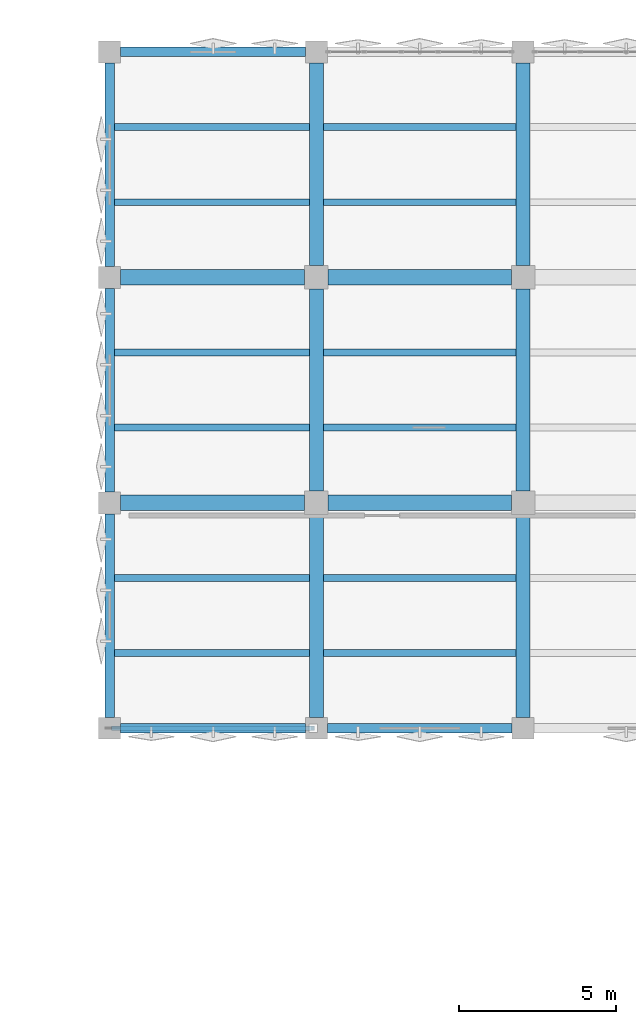
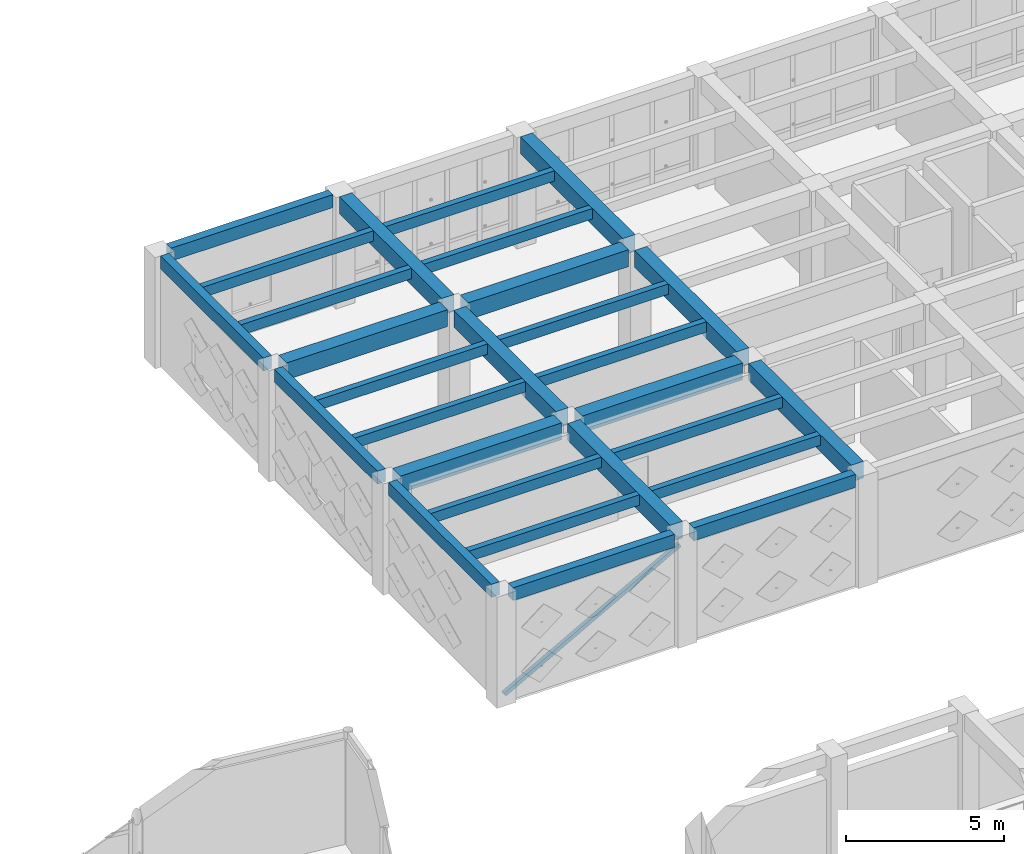
# One storey, part 43 of 80: 28 beams, 1 member.
"""IFC4 building model written with IfcOpenShell, lengths in metres."""

from ifc_helpers import new_model, si_unit, direction, frame, origin, origin_2d, place, context, subcontext, project, spatial, rectangle, hollow_rectangle, extrude, material, material_profile, profile_set, type_object, element, save


model = new_model("IFC4")

# Units and contexts
model_context = context("Model", 3, precision=1e-05, world=origin(), true_north=direction((0.0, 1.0)))
body_context = subcontext(model_context, "Body", "Model", "MODEL_VIEW")
ifc_project = project(units=[si_unit("LENGTHUNIT", "METRE"), si_unit("AREAUNIT", "SQUARE_METRE"), si_unit("VOLUMEUNIT", "CUBIC_METRE"), si_unit("PLANEANGLEUNIT", "RADIAN"), si_unit("MASSUNIT", "GRAM", prefix="KILO")], contexts=[model_context])

# Site, building, storey
site_placement = place(None, origin())
site = spatial("IfcSite", under=ifc_project, at=site_placement, CompositionType="ELEMENT")
building_placement = place(site_placement, origin())
building = spatial("IfcBuilding", under=site, at=building_placement, Name="Kharisveld Research Institute", CompositionType="ELEMENT")
storey_placement = place(building_placement, frame((0.0, 0.0, 5.10009765625)))
storey = spatial("IfcBuildingStorey", under=building, at=storey_placement, Name="L01", CompositionType="ELEMENT", Elevation=5.10009765625)

# Beams
ifc_material_1 = material(Name="Concrete C40/50", Category="concrete")
ifc_material_profile_1 = material_profile(ifc_material_1, rectangle(XDim=0.449951171875, YDim=0.64990234375, at=origin_2d()))
ifc_profile_set_1 = profile_set([ifc_material_profile_1], Name="Concrete C40/50")
beam_type_1 = type_object("IfcBeamType", Name="BM_RC_450x650", PredefinedType="BEAM", material=ifc_profile_set_1)
beam_1_placement = place(storey_placement, frame((121.199951171875, 39.550048828125, 3.96484375), z_axis=(0.0, 1.0, 0.0), x_axis=(-1.0, 0.0, 0.0)))
element("IfcBeam", 1, at=beam_1_placement, inside=storey, type_object=beam_type_1, Name="BM:V2:L01:V1_0", PredefinedType="BEAM", context=body_context, shape_type="SweptSolid", body=[
    extrude(rectangle(XDim=0.449951171875, YDim=0.64990234375, at=origin_2d()), origin(), (0.0, 0.0, 1.0), 6.474853515625),
])
beam_2_placement = place(storey_placement, frame((121.199951171875, 46.77490234375, 3.96484375), z_axis=(0.0, 1.0, 0.0), x_axis=(-1.0, 0.0, 0.0)))
element("IfcBeam", 2, at=beam_2_placement, inside=storey, type_object=beam_type_1, Name="BM:V2:L01:V1_1", PredefinedType="BEAM", context=body_context, shape_type="SweptSolid", body=[
    extrude(rectangle(XDim=0.449951171875, YDim=0.64990234375, at=origin_2d()), origin(), (0.0, 0.0, 1.0), 6.4501953125),
])
for number, where, z_axis, x_axis, name in (
    (3, (121.199951171875, 53.97509765625, 3.96484375), (0.0, 1.0, 0.0), (-1.0, 0.0, 0.0), "BM:V2:L01:V1_2"),
    (4, (127.800048828125, 39.550048828125, 3.96484375), (0.0, 1.0, 0.0), (-1.0, 0.0, 0.0), "BM:V2:L01:V2_0"),
):
    element("IfcBeam", number, at=place(storey_placement, frame(where, z_axis=z_axis, x_axis=x_axis)), inside=storey, type_object=beam_type_1, Name=name, PredefinedType="BEAM", context=body_context, shape_type="SweptSolid", body=[
        extrude(rectangle(XDim=0.449951171875, YDim=0.64990234375, at=origin_2d()), origin(), (0.0, 0.0, 1.0), 6.474853515625),
    ])
beam_3_placement = place(storey_placement, frame((127.800048828125, 46.77490234375, 3.96484375), z_axis=(0.0, 1.0, 0.0), x_axis=(-1.0, 0.0, 0.0)))
element("IfcBeam", 5, at=beam_3_placement, inside=storey, type_object=beam_type_1, Name="BM:V2:L01:V2_1", PredefinedType="BEAM", context=body_context, shape_type="SweptSolid", body=[
    extrude(rectangle(XDim=0.449951171875, YDim=0.64990234375, at=origin_2d()), origin(), (0.0, 0.0, 1.0), 6.4501953125),
])
beam_4_placement = place(storey_placement, frame((127.800048828125, 53.97509765625, 3.96484375), z_axis=(0.0, 1.0, 0.0), x_axis=(-1.0, 0.0, 0.0)))
element("IfcBeam", 6, at=beam_4_placement, inside=storey, type_object=beam_type_1, Name="BM:V2:L01:V2_2", PredefinedType="BEAM", context=body_context, shape_type="SweptSolid", body=[
    extrude(rectangle(XDim=0.449951171875, YDim=0.64990234375, at=origin_2d()), origin(), (0.0, 0.0, 1.0), 6.474853515625),
])
ifc_material_2 = material(Name="Concrete C40/50", Category="concrete")
ifc_material_profile_2 = material_profile(ifc_material_2, rectangle(XDim=0.5, YDim=0.64990234375, at=origin_2d()))
ifc_profile_set_2 = profile_set([ifc_material_profile_2], Name="Concrete C40/50")
beam_type_2 = type_object("IfcBeamType", Name="BM_RC_500x650", PredefinedType="BEAM", material=ifc_profile_set_2)
beam_5_placement = place(storey_placement, frame((114.949951171875, 46.39990234375, 3.96484375), z_axis=(1.0, 0.0, 0.0), x_axis=(0.0, 1.0, 0.0)))
element("IfcBeam", 7, at=beam_5_placement, inside=storey, type_object=beam_type_2, Name="BM:V2:L01:U0_1", PredefinedType="BEAM", context=body_context, shape_type="SweptSolid", body=[
    extrude(rectangle(XDim=0.5, YDim=0.64990234375, at=origin_2d()), origin(), (0.0, 0.0, 1.0), 5.875),
])
beam_6_placement = place(storey_placement, frame((121.574951171875, 46.39990234375, 3.96484375), z_axis=(1.0, 0.0, 0.0), x_axis=(0.0, 1.0, 0.0)))
element("IfcBeam", 8, at=beam_6_placement, inside=storey, type_object=beam_type_2, Name="BM:V2:L01:U1_1", PredefinedType="BEAM", context=body_context, shape_type="SweptSolid", body=[
    extrude(rectangle(XDim=0.5, YDim=0.64990234375, at=origin_2d()), origin(), (0.0, 0.0, 1.0), 5.85009765625),
])
beam_7_placement = place(storey_placement, frame((114.949951171875, 53.60009765625, 3.96484375), z_axis=(1.0, 0.0, 0.0), x_axis=(0.0, 1.0, 0.0)))
element("IfcBeam", 9, at=beam_7_placement, inside=storey, type_object=beam_type_2, Name="BM:V2:L01:U0_2", PredefinedType="BEAM", context=body_context, shape_type="SweptSolid", body=[
    extrude(rectangle(XDim=0.5, YDim=0.64990234375, at=origin_2d()), origin(), (0.0, 0.0, 1.0), 5.875),
])
beam_8_placement = place(storey_placement, frame((121.574951171875, 53.60009765625, 3.96484375), z_axis=(1.0, 0.0, 0.0), x_axis=(0.0, 1.0, 0.0)))
element("IfcBeam", 10, at=beam_8_placement, inside=storey, type_object=beam_type_2, Name="BM:V2:L01:U1_2", PredefinedType="BEAM", context=body_context, shape_type="SweptSolid", body=[
    extrude(rectangle(XDim=0.5, YDim=0.64990234375, at=origin_2d()), origin(), (0.0, 0.0, 1.0), 5.85009765625),
])

# Member
ifc_material_3 = material(Name="Steel S355J2H", Category="steel")
ifc_material_profile_3 = material_profile(ifc_material_3, hollow_rectangle(XDim=0.14990234375, YDim=0.14990234375, WallThickness=0.008056640625, at=origin_2d()))
ifc_profile_set_3 = profile_set([ifc_material_profile_3], Name="Steel S355J2H")
member_type = type_object("IfcMemberType", Name="BR_SHS150", PredefinedType="BRACE", material=ifc_profile_set_3)
member_placement = place(storey_placement, frame((114.699951171875, 39.199951171875, 0.199951171875), z_axis=(0.875061115432, 0.0, 0.484012442257), x_axis=(0.0, 1.0, 0.0)))
element("IfcMember", 11, at=member_placement, inside=storey, type_object=member_type, Name="MEM:V2:L01:BR_0_0", PredefinedType="BRACE", context=body_context, shape_type="SweptSolid", body=[
    extrude(hollow_rectangle(XDim=0.14990234375, YDim=0.14990234375, WallThickness=0.008056640625, at=origin_2d()), origin(), (0.0, 0.0, 1.0), 7.31396484375),
])

# Beams
ifc_material_4 = material(Name="Concrete C40/50", Category="concrete")
ifc_material_profile_4 = material_profile(ifc_material_4, rectangle(XDim=0.300048828125, YDim=0.5, at=origin_2d()))
ifc_profile_set_4 = profile_set([ifc_material_profile_4], Name="Concrete C40/50")
beam_type_3 = type_object("IfcBeamType", Name="SP_RC_300x500", PredefinedType="SPANDREL", material=ifc_profile_set_4)
beam_9_placement = place(storey_placement, frame((114.949951171875, 39.199951171875, 4.039794921875), z_axis=(1.0, 0.0, 0.0), x_axis=(0.0, 1.0, 0.0)))
element("IfcBeam", 12, at=beam_9_placement, inside=storey, type_object=beam_type_3, Name="BM:V2:L01:U0_0", PredefinedType="SPANDREL", context=body_context, shape_type="SweptSolid", body=[
    extrude(rectangle(XDim=0.300048828125, YDim=0.5, at=origin_2d()), origin(), (0.0, 0.0, 1.0), 5.900146484375),
])
beam_10_placement = place(storey_placement, frame((121.550048828125, 39.199951171875, 4.039794921875), z_axis=(1.0, 0.0, 0.0), x_axis=(0.0, 1.0, 0.0)))
element("IfcBeam", 13, at=beam_10_placement, inside=storey, type_object=beam_type_3, Name="BM:V2:L01:U1_0", PredefinedType="SPANDREL", context=body_context, shape_type="SweptSolid", body=[
    extrude(rectangle(XDim=0.300048828125, YDim=0.5, at=origin_2d()), origin(), (0.0, 0.0, 1.0), 5.89990234375),
])
beam_11_placement = place(storey_placement, frame((114.949951171875, 60.800048828125, 4.039794921875), z_axis=(1.0, 0.0, 0.0), x_axis=(0.0, 1.0, 0.0)))
element("IfcBeam", 14, at=beam_11_placement, inside=storey, type_object=beam_type_3, Name="BM:V2:L01:U0_3", PredefinedType="SPANDREL", context=body_context, shape_type="SweptSolid", body=[
    extrude(rectangle(XDim=0.300048828125, YDim=0.5, at=origin_2d()), origin(), (0.0, 0.0, 1.0), 5.900146484375),
])
for number, where, z_axis, x_axis, name in (
    (15, (114.60009765625, 39.550048828125, 4.039794921875), (0.0, 1.0, 0.0), (-1.0, 0.0, 0.0), "BM:V2:L01:V0_0"),
    (16, (114.60009765625, 46.75, 4.039794921875), (0.0, 1.0, 0.0), (-1.0, 0.0, 0.0), "BM:V2:L01:V0_1"),
    (17, (114.60009765625, 53.949951171875, 4.039794921875), (0.0, 1.0, 0.0), (-1.0, 0.0, 0.0), "BM:V2:L01:V0_2"),
):
    element("IfcBeam", number, at=place(storey_placement, frame(where, z_axis=z_axis, x_axis=x_axis)), inside=storey, type_object=beam_type_3, Name=name, PredefinedType="SPANDREL", context=body_context, shape_type="SweptSolid", body=[
        extrude(rectangle(XDim=0.300048828125, YDim=0.5, at=origin_2d()), origin(), (0.0, 0.0, 1.0), 6.5),
    ])
ifc_material_5 = material(Name="Concrete C40/50", Category="concrete")
ifc_material_profile_5 = material_profile(ifc_material_5, rectangle(XDim=0.219970703125, YDim=0.39990234375, at=origin_2d()))
ifc_profile_set_5 = profile_set([ifc_material_profile_5], Name="Concrete C40/50")
beam_type_4 = type_object("IfcBeamType", Name="WB_RC_220x400", PredefinedType="JOIST", material=ifc_profile_set_5)
for number, where, z_axis, x_axis, name in (
    (18, (114.75, 41.60009765625, 4.08984375), (1.0, 0.0, 0.0), (0.0, 1.0, 0.0), "BM:V2:L01:J_0_0_R1"),
    (19, (114.75, 44.0, 4.08984375), (1.0, 0.0, 0.0), (0.0, 1.0, 0.0), "BM:V2:L01:J_0_0_R2"),
    (20, (114.75, 48.800048828125, 4.08984375), (1.0, 0.0, 0.0), (0.0, 1.0, 0.0), "BM:V2:L01:J_0_1_R1"),
    (21, (114.75, 51.199951171875, 4.08984375), (1.0, 0.0, 0.0), (0.0, 1.0, 0.0), "BM:V2:L01:J_0_1_R2"),
    (22, (114.75, 56.0, 4.08984375), (1.0, 0.0, 0.0), (0.0, 1.0, 0.0), "BM:V2:L01:J_0_2_R1"),
    (23, (114.75, 58.39990234375, 4.08984375), (1.0, 0.0, 0.0), (0.0, 1.0, 0.0), "BM:V2:L01:J_0_2_R2"),
):
    element("IfcBeam", number, at=place(storey_placement, frame(where, z_axis=z_axis, x_axis=x_axis)), inside=storey, type_object=beam_type_4, Name=name, PredefinedType="JOIST", context=body_context, shape_type="SweptSolid", body=[
        extrude(rectangle(XDim=0.219970703125, YDim=0.39990234375, at=origin_2d()), origin(), (0.0, 0.0, 1.0), 6.22509765625),
    ])
for number, where, z_axis, x_axis, name in (
    (24, (121.425048828125, 41.60009765625, 4.08984375), (1.0, 0.0, 0.0), (0.0, 1.0, 0.0), "BM:V2:L01:J_1_0_R1"),
    (25, (121.425048828125, 44.0, 4.08984375), (1.0, 0.0, 0.0), (0.0, 1.0, 0.0), "BM:V2:L01:J_1_0_R2"),
    (26, (121.425048828125, 48.800048828125, 4.08984375), (1.0, 0.0, 0.0), (0.0, 1.0, 0.0), "BM:V2:L01:J_1_1_R1"),
    (27, (121.425048828125, 51.199951171875, 4.08984375), (1.0, 0.0, 0.0), (0.0, 1.0, 0.0), "BM:V2:L01:J_1_1_R2"),
    (28, (121.425048828125, 56.0, 4.08984375), (1.0, 0.0, 0.0), (0.0, 1.0, 0.0), "BM:V2:L01:J_1_2_R1"),
    (29, (121.425048828125, 58.39990234375, 4.08984375), (1.0, 0.0, 0.0), (0.0, 1.0, 0.0), "BM:V2:L01:J_1_2_R2"),
):
    element("IfcBeam", number, at=place(storey_placement, frame(where, z_axis=z_axis, x_axis=x_axis)), inside=storey, type_object=beam_type_4, Name=name, PredefinedType="JOIST", context=body_context, shape_type="SweptSolid", body=[
        extrude(rectangle(XDim=0.219970703125, YDim=0.39990234375, at=origin_2d()), origin(), (0.0, 0.0, 1.0), 6.14990234375),
    ])

save(model, "model.ifc")
